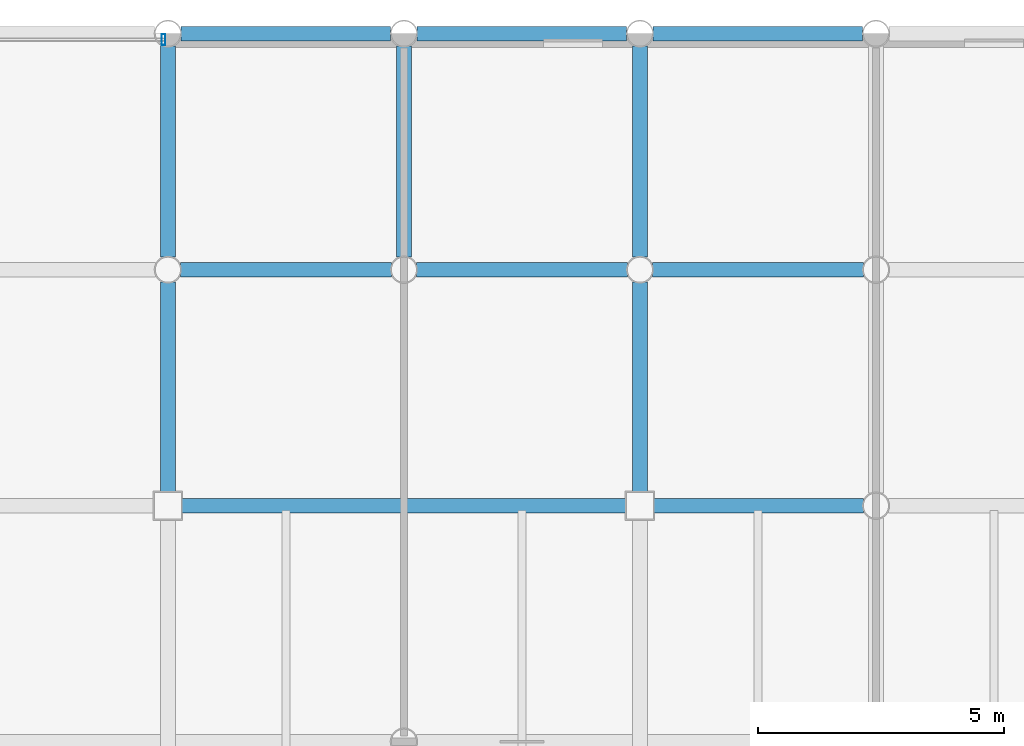
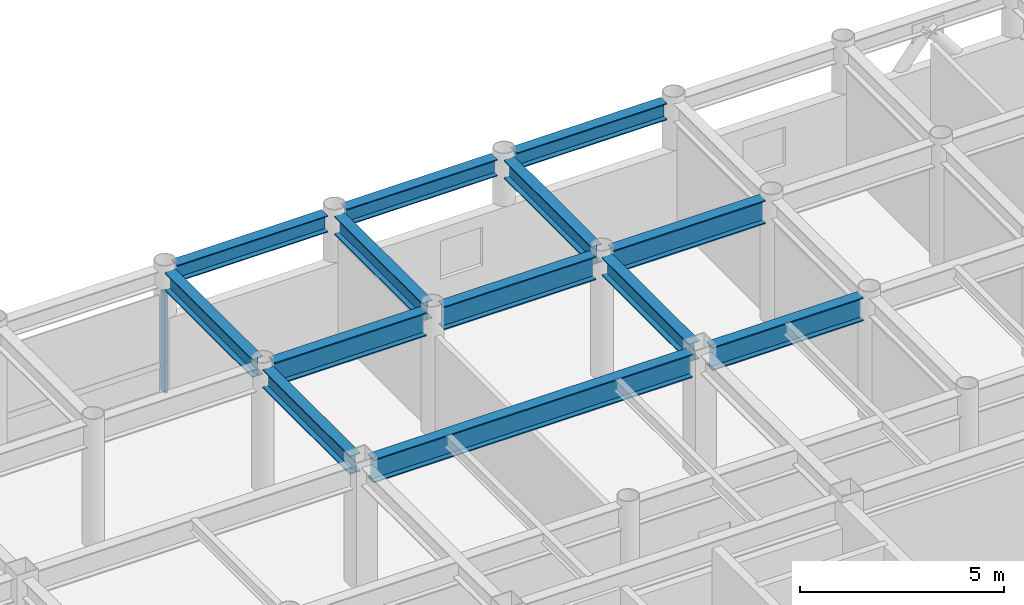
# One storey, part 15 of 22: 13 beams, 1 member, 1 element without a shape of its own.
"""IFC4 building model written with IfcOpenShell, lengths in metres."""

import ifcopenshell
import ifcopenshell.guid

model = None  # the IFC model being written
_history = None  # IfcOwnerHistory: only IFC2X3 demands one
_inside = {}  # id of a spatial element -> (the spatial element, [elements in it])
_under = {}  # id of a project, library or spatial element -> (it, [spatial elements below it])
_declared = {}  # id of a project -> (the project, [libraries it declares])
_typed = {}  # id of a type object -> (the type object, [elements of that type])
_made_of = {}  # id of a material, layer set ... -> (it, [elements and type objects made of it])


def new_model(schema):
    """Start an empty IFC model of exactly this schema.

    Asked for "IFC4X3", IfcOpenShell would pick the latest addendum, in which some entities
    have other attributes; the version numbers below select the first issue.
    IFC2X3 requires an IfcOwnerHistory on every rooted entity: one is made here for all.
    """
    global model, _history
    if schema == "IFC4X3":
        model = ifcopenshell.file(schema_version=(4, 3, 0, 0))
    else:
        model = ifcopenshell.file(schema=schema)
    _inside.clear()
    _under.clear()
    _declared.clear()
    _typed.clear()
    _made_of.clear()
    _history = None
    if model.schema == "IFC2X3":
        org = make("IfcOrganization", Name="unknown")
        user = make(
            "IfcPersonAndOrganization",
            ThePerson=make("IfcPerson", FamilyName="unknown"),
            TheOrganization=org,
        )
        app = make(
            "IfcApplication",
            ApplicationDeveloper=org,
            Version="unknown",
            ApplicationFullName="unknown",
            ApplicationIdentifier="unknown",
        )
        _history = make(
            "IfcOwnerHistory",
            OwningUser=user,
            OwningApplication=app,
            ChangeAction="ADDED",
            CreationDate=0,
        )
    return model


def make(cls, **values):
    """One entity of the class cls with the attributes given. An attribute that is None is left unset."""
    return model.create_entity(
        cls, **{name: value for name, value in values.items() if value is not None}
    )


def rooted(cls, **values):
    """An entity with a GlobalId (a new one), such as an element, a storey or a relation."""
    return make(cls, GlobalId=ifcopenshell.guid.new(), OwnerHistory=_history, **values)


def si_unit(unit_type, name, prefix=None):
    """IfcSIUnit, for example si_unit("LENGTHUNIT", "METRE", prefix="MILLI")."""
    return make("IfcSIUnit", UnitType=unit_type, Prefix=prefix, Name=name)


def assignment(units):
    """IfcUnitAssignment: the units of a project."""
    return None if units is None else make("IfcUnitAssignment", Units=units)


def point(xyz):
    """IfcCartesianPoint."""
    return None if xyz is None else make("IfcCartesianPoint", Coordinates=xyz)


def direction(xyz):
    """IfcDirection."""
    return None if xyz is None else make("IfcDirection", DirectionRatios=xyz)


def frame(location, z_axis=None, x_axis=None):
    """IfcAxis2Placement3D, a coordinate frame: its origin and axes. An axis left out is left unset."""
    return make(
        "IfcAxis2Placement3D",
        Location=point(location),
        Axis=direction(z_axis),
        RefDirection=direction(x_axis),
    )


def frame_2d(location, x_axis=None):
    """IfcAxis2Placement2D, a coordinate frame in the plane: its origin and x axis."""
    return make(
        "IfcAxis2Placement2D", Location=point(location), RefDirection=direction(x_axis)
    )


def origin():
    """The frame at (0, 0, 0) with its axes left unset."""
    return frame((0.0, 0.0, 0.0))


def origin_2d():
    """The frame at (0, 0) in the plane with its x axis left unset."""
    return frame_2d((0.0, 0.0))


def place(relative_to, where):
    """IfcLocalPlacement: puts the frame where relative to a parent placement (None: the world)."""
    return make(
        "IfcLocalPlacement", PlacementRelTo=relative_to, RelativePlacement=where
    )


def context(
    kind, dimensions, precision=None, world=None, true_north=None, identifier=None
):
    """IfcGeometricRepresentationContext, for example the 3D "Model" context."""
    return make(
        "IfcGeometricRepresentationContext",
        ContextIdentifier=identifier,
        ContextType=kind,
        CoordinateSpaceDimension=dimensions,
        Precision=precision,
        WorldCoordinateSystem=world,
        TrueNorth=true_north,
    )


def subcontext(parent, identifier, kind, view, scale=None):
    """IfcGeometricRepresentationSubContext, for example "Body" below "Model"."""
    return make(
        "IfcGeometricRepresentationSubContext",
        ContextIdentifier=identifier,
        ContextType=kind,
        ParentContext=parent,
        TargetScale=scale,
        TargetView=view,
    )


def project(units=None, contexts=None):
    """IfcProject with its units and contexts."""
    return rooted(
        "IfcProject",
        Name="project",
        RepresentationContexts=contexts,
        UnitsInContext=assignment(units),
    )


def spatial(cls, under=None, at=None, **own):
    """A site, building, storey or space (cls), placed at a placement, below another one or the project."""
    s = rooted(cls, ObjectPlacement=at, **own)
    if under is not None:
        _under.setdefault(under.id(), (under, []))[1].append(s)
    return s


def profile(cls, at=None, kind="AREA", **sizes):
    """A parametric profile (cls). Its sizes go by their IFC names, for example OverallWidth=200.0."""
    return make(cls, ProfileType=kind, Position=at, **sizes)


def hollow_rectangle(**sizes):
    """IfcRectangleHollowProfileDef."""
    return profile("IfcRectangleHollowProfileDef", **sizes)


def i_section(**sizes):
    """IfcIShapeProfileDef."""
    return profile("IfcIShapeProfileDef", **sizes)


def extrude(swept, where, along, depth):
    """IfcExtrudedAreaSolid: the profile swept, set in the frame where, extruded along a direction by depth."""
    return make(
        "IfcExtrudedAreaSolid",
        SweptArea=swept,
        Position=where,
        ExtrudedDirection=direction(along),
        Depth=depth,
    )


def shape(context_of_items, identifier, shape_type, items):
    """IfcShapeRepresentation: the items that make up one representation, for example the "Body"."""
    return make(
        "IfcShapeRepresentation",
        ContextOfItems=context_of_items,
        RepresentationIdentifier=identifier,
        RepresentationType=shape_type,
        Items=items,
    )


def material(Name=None, Category=None):
    """IfcMaterial."""
    return make("IfcMaterial", Name=Name, Category=Category)


def layer(
    of_material, thickness, ventilated=None, Name=None, Category=None, Priority=None
):
    """IfcMaterialLayer: one layer of a wall or slab, of a material (None: an air gap)."""
    return make(
        "IfcMaterialLayer",
        Material=of_material,
        LayerThickness=thickness,
        IsVentilated=ventilated,
        Name=Name,
        Category=Category,
        Priority=Priority,
    )


def layer_set(layers, Name=None):
    """IfcMaterialLayerSet."""
    return make("IfcMaterialLayerSet", MaterialLayers=layers, LayerSetName=Name)


def material_profile(
    of_material, cross_section, Name=None, Category=None, Priority=None
):
    """IfcMaterialProfile: a cross section and its material."""
    return make(
        "IfcMaterialProfile",
        Name=Name,
        Material=of_material,
        Profile=cross_section,
        Priority=Priority,
        Category=Category,
    )


def profile_set(profiles, Name=None, composite=None):
    """IfcMaterialProfileSet."""
    return make(
        "IfcMaterialProfileSet",
        Name=Name,
        MaterialProfiles=profiles,
        CompositeProfile=composite,
    )


def made_of(thing, what):
    """Note that an element or type object is made of a material, layer set ...; save() writes the relation."""
    if what is not None:
        _made_of.setdefault(what.id(), (what, []))[1].append(thing)
    return thing


def type_object(cls, material=None, **own):
    """A type object (cls), such as IfcWallType, which elements share."""
    return made_of(rooted(cls, **own), material)


def element(
    cls,
    number,
    at=None,
    inside=None,
    cuts=None,
    type_object=None,
    material=None,
    context=None,
    identifier="Body",
    shape_type=None,
    held_by="IfcProductDefinitionShape",
    body=None,
    shapes=None,
    **own,
):
    """One element of the class cls, such as IfcWall. Its Tag is "e" and its number.

    at: its placement. inside: the storey or other place that contains it. cuts: it is an
    opening in that element (IfcRelVoidsElement). A single representation is given by context,
    identifier, shape_type and body (its items); several are given by shapes. held_by: the class
    of the entity that holds the representations. save() writes the other relations.
    """
    e = rooted(cls, Tag="e%d" % number, ObjectPlacement=at, **own)
    if body is not None:
        shapes = [shape(context, identifier, shape_type, body)]
    if shapes is not None:
        e.Representation = make(held_by, Representations=shapes)
    if inside is not None:
        _inside.setdefault(inside.id(), (inside, []))[1].append(e)
    if cuts is not None:
        rooted(
            "IfcRelVoidsElement", RelatingBuildingElement=cuts, RelatedOpeningElement=e
        )
    if type_object is not None:
        _typed.setdefault(type_object.id(), (type_object, []))[1].append(e)
    return made_of(e, material)


def aggregate(whole, parts):
    """IfcRelAggregates: a whole, such as a stair, and the parts it consists of."""
    return rooted("IfcRelAggregates", RelatingObject=whole, RelatedObjects=parts)


def save(model, path):
    """Write the relations noted so far, then the file.

    IfcRelAggregates (storeys below a building ...), IfcRelContainedInSpatialStructure (elements
    in a storey), IfcRelDefinesByType, IfcRelAssociatesMaterial and IfcRelDeclares: one each for
    every whole, place, type object, material and project.
    """
    for whole, parts in _under.values():
        aggregate(whole, parts)
    for where, things in _inside.values():
        rooted(
            "IfcRelContainedInSpatialStructure",
            RelatedElements=things,
            RelatingStructure=where,
        )
    for kind, things in _typed.values():
        rooted("IfcRelDefinesByType", RelatedObjects=things, RelatingType=kind)
    for what, things in _made_of.values():
        rooted("IfcRelAssociatesMaterial", RelatedObjects=things, RelatingMaterial=what)
    for by, libraries in _declared.values():
        rooted("IfcRelDeclares", RelatingContext=by, RelatedDefinitions=libraries)
    model.write(path)


model = new_model("IFC4")

# Units and contexts
model_context = context("Model", 3, precision=1e-05, world=origin(), true_north=direction((0.0, 1.0)))
body_context = subcontext(model_context, "Body", "Model", "MODEL_VIEW")
ifc_project = project(units=[si_unit("LENGTHUNIT", "METRE"), si_unit("AREAUNIT", "SQUARE_METRE"), si_unit("VOLUMEUNIT", "CUBIC_METRE"), si_unit("PLANEANGLEUNIT", "RADIAN"), si_unit("MASSUNIT", "GRAM", prefix="KILO")], contexts=[model_context])

# Site, building, storey
site_placement = place(None, origin())
site = spatial("IfcSite", under=ifc_project, at=site_placement, CompositionType="ELEMENT")
building_placement = place(site_placement, origin())
building = spatial("IfcBuilding", under=site, at=building_placement, Name="Kallvorn Hotel Tower", CompositionType="ELEMENT")
storey_placement = place(building_placement, frame((0.0, 0.0, 230.0)))
storey = spatial("IfcBuildingStorey", under=building, at=storey_placement, Name="L57", CompositionType="ELEMENT", Elevation=230.0)

# Beams
ifc_material_1 = material(Name="Structural steel S355JR", Category="steel")
ifc_material_profile_1 = material_profile(ifc_material_1, i_section(OverallWidth=0.300048828125, OverallDepth=0.5, WebThickness=0.014404296875, FlangeThickness=0.028076171875, at=origin_2d()), Name="HE 500 B")
ifc_profile_set_1 = profile_set([ifc_material_profile_1], Name="Structural steel S355JR")
beam_type_1 = type_object("IfcBeamType", Name="BM_HE500B", PredefinedType="SPANDREL", material=ifc_profile_set_1)
beam_1_placement = place(storey_placement, frame((5.069580078125, 24.0, 3.419921875), z_axis=(1.0, 0.0, 0.0), x_axis=(0.0, 1.0, 0.0)))
element("IfcBeam", 1, at=beam_1_placement, inside=storey, type_object=beam_type_1, Name="L58 Perimeter Spandrel 169", PredefinedType="SPANDREL", context=body_context, shape_type="SweptSolid", body=[
    extrude(i_section(OverallWidth=0.300048828125, OverallDepth=0.5, WebThickness=0.014404296875, FlangeThickness=0.028076171875, at=origin_2d()), origin(), (0.0, 0.0, 1.0), 4.260986328125),
])
beam_2_placement = place(storey_placement, frame((9.869384765625, 24.0, 3.419921875), z_axis=(1.0, 0.0, 0.0), x_axis=(0.0, 1.0, 0.0)))
element("IfcBeam", 2, at=beam_2_placement, inside=storey, type_object=beam_type_1, Name="L58 Perimeter Spandrel 170", PredefinedType="SPANDREL", context=body_context, shape_type="SweptSolid", body=[
    extrude(i_section(OverallWidth=0.300048828125, OverallDepth=0.5, WebThickness=0.014404296875, FlangeThickness=0.028076171875, at=origin_2d()), origin(), (0.0, 0.0, 1.0), 4.26123046875),
])
beam_3_placement = place(storey_placement, frame((14.66943359375, 24.0, 3.419921875), z_axis=(1.0, 0.0, 0.0), x_axis=(0.0, 1.0, 0.0)))
element("IfcBeam", 3, at=beam_3_placement, inside=storey, type_object=beam_type_1, Name="L58 Perimeter Spandrel 171", PredefinedType="SPANDREL", context=body_context, shape_type="SweptSolid", body=[
    extrude(i_section(OverallWidth=0.300048828125, OverallDepth=0.5, WebThickness=0.014404296875, FlangeThickness=0.028076171875, at=origin_2d()), origin(), (0.0, 0.0, 1.0), 4.260986328125),
])
ifc_material_2 = material(Name="Structural steel S355JR", Category="steel")
ifc_material_profile_2 = material_profile(ifc_material_2, i_section(OverallWidth=0.300048828125, OverallDepth=0.550048828125, WebThickness=0.014892578125, FlangeThickness=0.029052734375, at=origin_2d()), Name="HE 550 B")
ifc_profile_set_2 = profile_set([ifc_material_profile_2], Name="Structural steel S355JR")
beam_type_2 = type_object("IfcBeamType", Name="BM_HE550B", PredefinedType="SPANDREL", material=ifc_profile_set_2)
beam_4_placement = place(storey_placement, frame((4.800048828125, 14.675048828125, 3.39501953125), z_axis=(0.0, 1.0, 0.0), x_axis=(-1.0, 0.0, 0.0)))
element("IfcBeam", 4, at=beam_4_placement, inside=storey, type_object=beam_type_2, Name="L58 Primary Y-Girder 116", PredefinedType="SPANDREL", context=body_context, shape_type="SweptSolid", body=[
    extrude(i_section(OverallWidth=0.300048828125, OverallDepth=0.550048828125, WebThickness=0.014892578125, FlangeThickness=0.029052734375, at=origin_2d()), origin(), (0.0, 0.0, 1.0), 4.2705078125),
])
for number, where, z_axis, x_axis, name in (
    (5, (4.800048828125, 19.45458984375, 3.39501953125), (0.0, 1.0, 0.0), (-1.0, 0.0, 0.0), "L58 Primary Y-Girder 117"),
    (6, (9.60009765625, 19.45458984375, 3.39501953125), (0.0, 1.0, 0.0), (-1.0, 0.0, 0.0), "L58 Primary Y-Girder 120"),
):
    element("IfcBeam", number, at=place(storey_placement, frame(where, z_axis=z_axis, x_axis=x_axis)), inside=storey, type_object=beam_type_2, Name=name, PredefinedType="SPANDREL", context=body_context, shape_type="SweptSolid", body=[
        extrude(i_section(OverallWidth=0.300048828125, OverallDepth=0.550048828125, WebThickness=0.014892578125, FlangeThickness=0.029052734375, at=origin_2d()), origin(), (0.0, 0.0, 1.0), 4.291015625),
    ])
beam_5_placement = place(storey_placement, frame((14.39990234375, 14.675048828125, 3.39501953125), z_axis=(0.0, 1.0, 0.0), x_axis=(-1.0, 0.0, 0.0)))
element("IfcBeam", 7, at=beam_5_placement, inside=storey, type_object=beam_type_2, Name="L58 Primary Y-Girder 124", PredefinedType="SPANDREL", context=body_context, shape_type="SweptSolid", body=[
    extrude(i_section(OverallWidth=0.300048828125, OverallDepth=0.550048828125, WebThickness=0.014892578125, FlangeThickness=0.029052734375, at=origin_2d()), origin(), (0.0, 0.0, 1.0), 4.2705078125),
])
beam_6_placement = place(storey_placement, frame((14.39990234375, 19.45458984375, 3.39501953125), z_axis=(0.0, 1.0, 0.0), x_axis=(-1.0, 0.0, 0.0)))
element("IfcBeam", 8, at=beam_6_placement, inside=storey, type_object=beam_type_2, Name="L58 Primary Y-Girder 125", PredefinedType="SPANDREL", context=body_context, shape_type="SweptSolid", body=[
    extrude(i_section(OverallWidth=0.300048828125, OverallDepth=0.550048828125, WebThickness=0.014892578125, FlangeThickness=0.029052734375, at=origin_2d()), origin(), (0.0, 0.0, 1.0), 4.291015625),
])
ifc_material_3 = material(Name="Structural steel S355JR", Category="steel")
ifc_material_profile_3 = material_profile(ifc_material_3, i_section(OverallWidth=0.300048828125, OverallDepth=0.699951171875, WebThickness=0.01708984375, FlangeThickness=0.031982421875, at=origin_2d()), Name="HE 700 B")
ifc_profile_set_3 = profile_set([ifc_material_profile_3], Name="Structural steel S355JR")
beam_type_3 = type_object("IfcBeamType", Name="BM_HE700B", PredefinedType="BEAM", material=ifc_profile_set_3)
beam_7_placement = place(storey_placement, frame((5.074951171875, 14.39990234375, 3.320068359375), z_axis=(1.0, 0.0, 0.0), x_axis=(0.0, 1.0, 0.0)))
element("IfcBeam", 9, at=beam_7_placement, inside=storey, type_object=beam_type_3, Name="L58 Primary X-Girder 55", PredefinedType="BEAM", context=body_context, shape_type="SweptSolid", body=[
    extrude(i_section(OverallWidth=0.300048828125, OverallDepth=0.699951171875, WebThickness=0.01708984375, FlangeThickness=0.031982421875, at=origin_2d()), origin(), (0.0, 0.0, 1.0), 9.050048828125),
])
beam_8_placement = place(storey_placement, frame((14.675048828125, 14.39990234375, 3.320068359375), z_axis=(1.0, 0.0, 0.0), x_axis=(0.0, 1.0, 0.0)))
element("IfcBeam", 10, at=beam_8_placement, inside=storey, type_object=beam_type_3, Name="L58 Primary X-Girder 56", PredefinedType="BEAM", context=body_context, shape_type="SweptSolid", body=[
    extrude(i_section(OverallWidth=0.300048828125, OverallDepth=0.699951171875, WebThickness=0.01708984375, FlangeThickness=0.031982421875, at=origin_2d()), origin(), (0.0, 0.0, 1.0), 4.2705078125),
])
for number, where, z_axis, x_axis, name in (
    (11, (5.054443359375, 19.199951171875, 3.320068359375), (1.0, 0.0, 0.0), (0.0, 1.0, 0.0), "L58 Primary X-Girder 67"),
    (12, (9.8544921875, 19.199951171875, 3.320068359375), (1.0, 0.0, 0.0), (0.0, 1.0, 0.0), "L58 Primary X-Girder 68"),
    (13, (14.654541015625, 19.199951171875, 3.320068359375), (1.0, 0.0, 0.0), (0.0, 1.0, 0.0), "L58 Primary X-Girder 69"),
):
    element("IfcBeam", number, at=place(storey_placement, frame(where, z_axis=z_axis, x_axis=x_axis)), inside=storey, type_object=beam_type_3, Name=name, PredefinedType="BEAM", context=body_context, shape_type="SweptSolid", body=[
        extrude(i_section(OverallWidth=0.300048828125, OverallDepth=0.699951171875, WebThickness=0.01708984375, FlangeThickness=0.031982421875, at=origin_2d()), origin(), (0.0, 0.0, 1.0), 4.291015625),
    ])

# Curtain wall, member
ifc_material_4 = material(Name="Thermally broken black-anodised aluminium AA 6063-T6", Category="aluminium")
ifc_layer = layer(ifc_material_4, 0.22998046875)
ifc_layer_set = layer_set([ifc_layer], Name="CW_SYS_5_HOTEL_HIGH")
curtain_wall_type = type_object("IfcCurtainWallType", Name="CW_SYS_5_HOTEL_HIGH", PredefinedType="USERDEFINED", material=ifc_layer_set)
curtain_wall_placement = place(storey_placement, origin())
curtain_wall = element("IfcCurtainWall", 14, at=curtain_wall_placement, inside=storey, type_object=curtain_wall_type, Name="L57 Dark-Glass Curtain Wall CW-L57-NC", ObjectType="UNITISED CURTAIN WALL", PredefinedType="USERDEFINED")
ifc_material_5 = material(Name="Thermally broken black-anodised aluminium AA 6063-T6", Category="aluminium")
ifc_material_profile_4 = material_profile(ifc_material_5, hollow_rectangle(XDim=0.080078125, YDim=0.219970703125, WallThickness=0.0048828125, at=origin_2d()), Name="MUL 220x80")
ifc_profile_set_4 = profile_set([ifc_material_profile_4], Name="Thermally broken black-anodised aluminium AA 6063-T6")
member_type = type_object("IfcMemberType", Name="CW_MULLION_220x80", PredefinedType="MULLION", material=ifc_profile_set_4)
member_placement = place(storey_placement, frame((4.7099609375, 23.8798828125, 0.02001953125), z_axis=(0.0, 0.0, 1.0), x_axis=(1.0, 0.0, 0.0)))
member = element("IfcMember", 15, at=member_placement, type_object=member_type, Name="CW-L57-NC Mullion 02", PredefinedType="MULLION", context=body_context, shape_type="SweptSolid", body=[
    extrude(hollow_rectangle(XDim=0.080078125, YDim=0.219970703125, WallThickness=0.0048828125, at=origin_2d()), origin(), (0.0, 0.0, 1.0), 2.97998046875),
])
aggregate(curtain_wall, [member])

save(model, "model.ifc")
